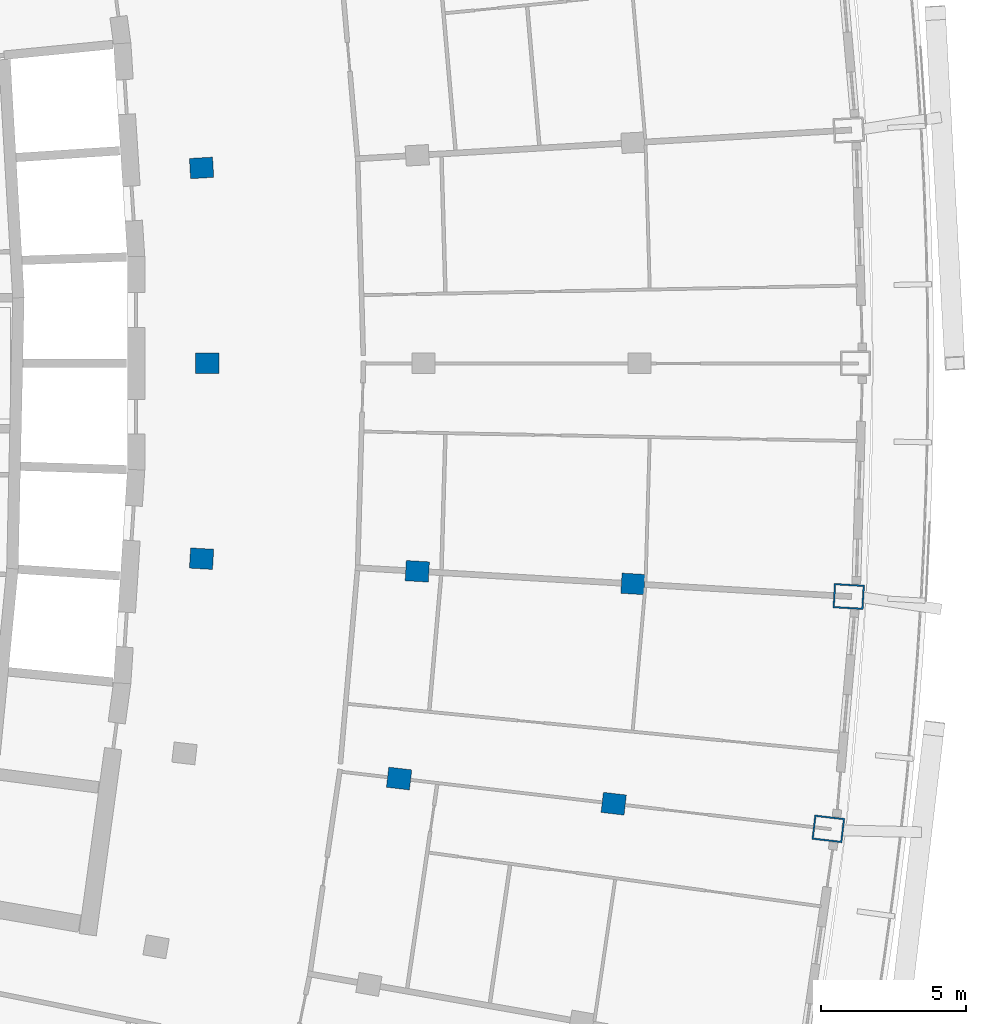
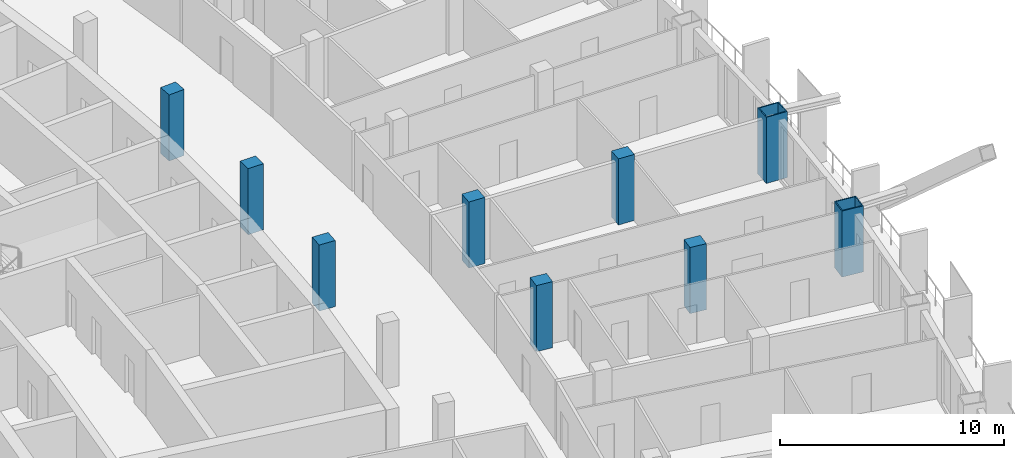
# One storey, part 4 of 19: 9 columns.
"""IFC4 building model written with IfcOpenShell, lengths in metres."""

from ifc_helpers import new_model, si_unit, direction, frame, origin, origin_2d, place, context, subcontext, project, spatial, rectangle, hollow_rectangle, extrude, material, material_profile, profile_set, type_object, element, save


model = new_model("IFC4")

# Units and contexts
model_context = context("Model", 3, precision=1e-05, world=origin(), true_north=direction((0.0, 1.0)))
body_context = subcontext(model_context, "Body", "Model", "MODEL_VIEW")
ifc_project = project(units=[si_unit("LENGTHUNIT", "METRE"), si_unit("AREAUNIT", "SQUARE_METRE"), si_unit("VOLUMEUNIT", "CUBIC_METRE"), si_unit("PLANEANGLEUNIT", "RADIAN"), si_unit("MASSUNIT", "GRAM", prefix="KILO")], contexts=[model_context])

# Site, building, storey
site_placement = place(None, origin())
site = spatial("IfcSite", under=ifc_project, at=site_placement, CompositionType="ELEMENT")
building_placement = place(site_placement, origin())
building = spatial("IfcBuilding", under=site, at=building_placement, Name="Alderwake Tower", CompositionType="ELEMENT")
storey_placement = place(building_placement, frame((0.0, 0.0, 200.0)))
storey = spatial("IfcBuildingStorey", under=building, at=storey_placement, Name="L49", CompositionType="ELEMENT", Elevation=200.0)

# Columns
ifc_material_1 = material(Name="Concrete C70/85", Category="concrete")
ifc_material_profile_1 = material_profile(ifc_material_1, rectangle(XDim=0.699951171875, YDim=0.800048828125, at=origin_2d()), Name="RC 800X700")
ifc_profile_set_1 = profile_set([ifc_material_profile_1], Name="Concrete C70/85")
column_type_1 = type_object("IfcColumnType", Name="Interior column Z4", PredefinedType="COLUMN", material=ifc_profile_set_1)
for number, where, z_axis, x_axis, name in (
    (1, (42.4287109375, 46.651611328125, 0.0), (0.0, 0.0, 1.0), (0.116402054316, 0.993202175668, 0.0), "Column R05-C3"),
    (2, (49.844482421875, 45.782470703125, 0.0), (0.0, 0.0, 1.0), (0.116402054316, 0.993202175668, 0.0), "Column R05-C4"),
    (3, (35.60302734375, 54.248779296875, 0.0), (0.0, 0.0, 1.0), (0.058301061284, 0.998299046505, 0.0), "Column R06-C2"),
    (4, (43.056884765625, 53.8134765625, 0.0), (0.0, 0.0, 1.0), (0.058301061284, 0.998299046505, 0.0), "Column R06-C3"),
    (5, (50.510986328125, 53.378173828125, 0.0), (0.0, 0.0, 1.0), (0.058301061284, 0.998299046505, 0.0), "Column R06-C4"),
    (6, (35.800048828125, 61.0, 0.0), (0.0, 0.0, 1.0), (0.0, 1.0, 0.0), "Column R07-C2"),
    (7, (35.60302734375, 67.751220703125, 0.0), (0.0, 0.0, 1.0), (-0.058301061284, 0.998299046505, 0.0), "Column R08-C2"),
):
    element("IfcColumn", number, at=place(storey_placement, frame(where, z_axis=z_axis, x_axis=x_axis)), inside=storey, type_object=column_type_1, Name=name, PredefinedType="COLUMN", context=body_context, shape_type="SweptSolid", body=[
        extrude(rectangle(XDim=0.699951171875, YDim=0.800048828125, at=origin_2d()), origin(), (0.0, 0.0, 1.0), 3.60009765625),
    ])
ifc_material_2 = material(Name="Steel ASTM A572 Grade 50 concrete filled C70/85", Category="concrete")
ifc_material_profile_2 = material_profile(ifc_material_2, hollow_rectangle(XDim=0.85009765625, YDim=1.050048828125, WallThickness=0.054931640625, at=origin_2d()), Name="BOX 1050X850X55")
ifc_profile_set_2 = profile_set([ifc_material_profile_2], Name="Steel ASTM A572 Grade 50 concrete filled C70/85")
column_type_2 = type_object("IfcColumnType", Name="Perimeter column Z4", PredefinedType="COLUMN", material=ifc_profile_set_2)
for number, where, z_axis, x_axis, name in (
    (8, (57.260498046875, 44.9130859375, 0.0), (0.0, 0.0, 1.0), (0.116402054316, 0.993202175668, 0.0), "Column R05-C5"),
    (9, (57.96484375, 52.94287109375, 0.0), (0.0, 0.0, 1.0), (0.058301061284, 0.998299046505, 0.0), "Column R06-C5"),
):
    element("IfcColumn", number, at=place(storey_placement, frame(where, z_axis=z_axis, x_axis=x_axis)), inside=storey, type_object=column_type_2, Name=name, PredefinedType="COLUMN", context=body_context, shape_type="SweptSolid", body=[
        extrude(hollow_rectangle(XDim=0.85009765625, YDim=1.050048828125, WallThickness=0.054931640625, at=origin_2d()), origin(), (0.0, 0.0, 1.0), 3.60009765625),
    ])

save(model, "model.ifc")
